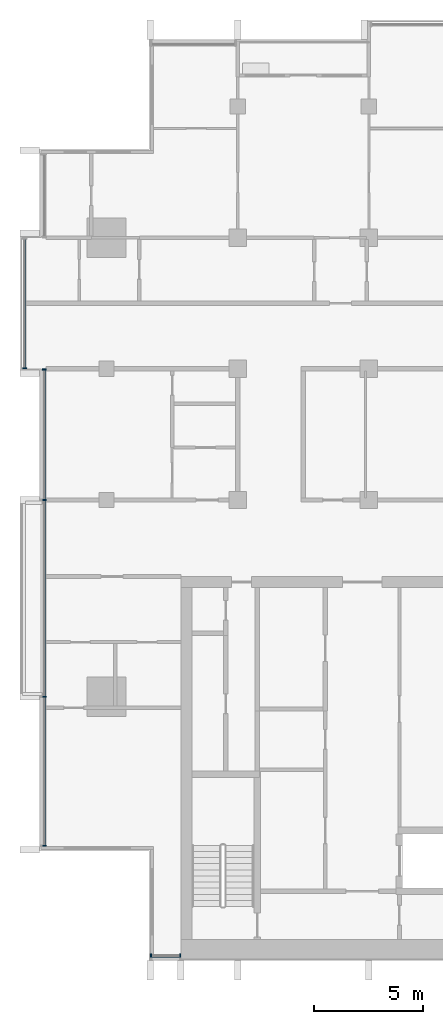
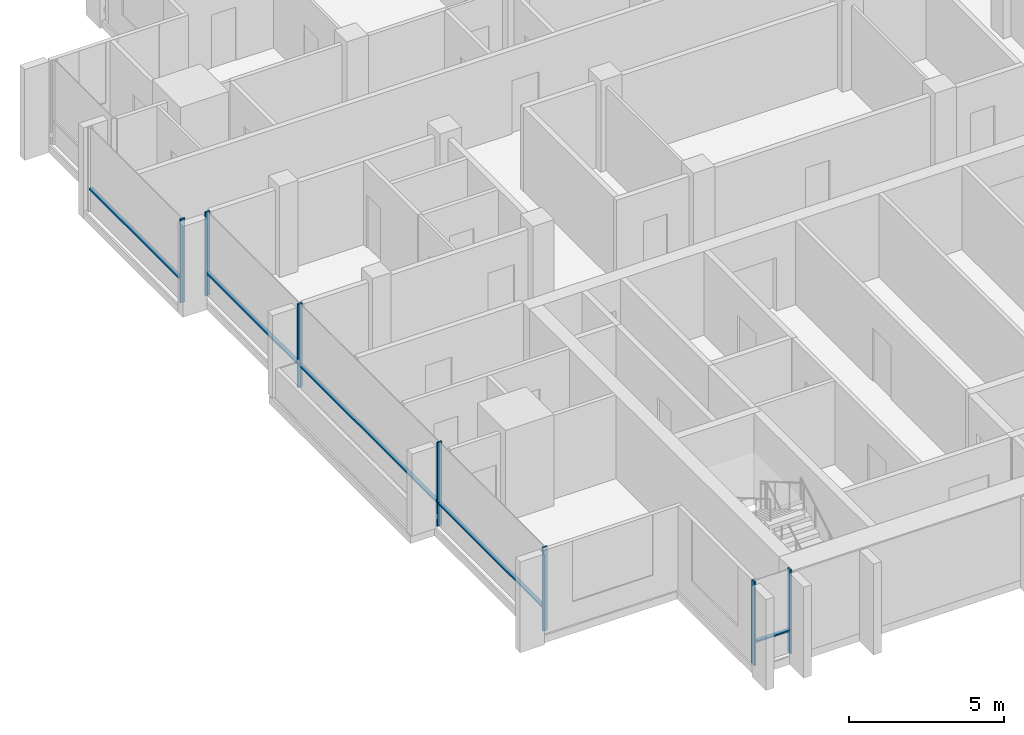
# One storey, part 2 of 16: 12 members, 3 elements without a shape of their own.
"""IFC4 building model written with IfcOpenShell, lengths in metres."""

from ifc_helpers import new_model, si_unit, direction, frame, origin, origin_2d, place, context, subcontext, project, spatial, rectangle, extrude, material, material_profile, profile_set, type_object, element, aggregate, save


model = new_model("IFC4")

# Units and contexts
model_context = context("Model", 3, precision=1e-05, world=origin(), true_north=direction((0.0, 1.0)))
body_context = subcontext(model_context, "Body", "Model", "MODEL_VIEW")
ifc_project = project(units=[si_unit("LENGTHUNIT", "METRE"), si_unit("AREAUNIT", "SQUARE_METRE"), si_unit("VOLUMEUNIT", "CUBIC_METRE"), si_unit("PLANEANGLEUNIT", "RADIAN"), si_unit("MASSUNIT", "GRAM", prefix="KILO")], contexts=[model_context])

# Site, building, storey
site_placement = place(None, origin())
site = spatial("IfcSite", under=ifc_project, at=site_placement, CompositionType="ELEMENT")
building_placement = place(site_placement, origin())
building = spatial("IfcBuilding", under=site, at=building_placement, Name="Finial Court Residences", CompositionType="ELEMENT")
storey_placement = place(building_placement, frame((0.0, 0.0, 280.699951171875)))
storey = spatial("IfcBuildingStorey", under=building, at=storey_placement, Name="L71", CompositionType="ELEMENT", Elevation=280.699951171875)

# Curtain wall, members
ifc_material = material(Name="Bronze anodised aluminium", Category="aluminium")
curtain_wall_type = type_object("IfcCurtainWallType", Name="Unitised curtain wall, upper zones", PredefinedType="NOTDEFINED", material=ifc_material)
curtain_wall_1_placement = place(storey_placement, origin())
curtain_wall_1 = element("IfcCurtainWall", 1, at=curtain_wall_1_placement, inside=storey, type_object=curtain_wall_type, Name="E-L71-CW-S7", PredefinedType="NOTDEFINED")
ifc_material_profile_1 = material_profile(ifc_material, rectangle(XDim=0.175048828125, YDim=0.06005859375, at=origin_2d()), Name="CW2 mullion 60 x 175")
ifc_profile_set_1 = profile_set([ifc_material_profile_1], Name="Bronze anodised aluminium")
member_type_1 = type_object("IfcMemberType", Name="CW2 mullion 60 x 175", PredefinedType="MULLION", material=ifc_profile_set_1)
member_1_placement = place(storey_placement, frame((-14.469970703125, -25.35009765625, 0.0), z_axis=(0.0, 0.0, 1.0), x_axis=(0.0, 1.0, 0.0)))
member_1 = element("IfcMember", 2, at=member_1_placement, type_object=member_type_1, Name="CW2 mullion 1", PredefinedType="MULLION", context=body_context, shape_type="SweptSolid", body=[
    extrude(rectangle(XDim=0.175048828125, YDim=0.06005859375, at=origin_2d()), origin(), (0.0, 0.0, 1.0), 3.300048828125),
])
member_2_placement = place(storey_placement, frame((-13.1298828125, -25.35009765625, 0.0), z_axis=(0.0, 0.0, 1.0), x_axis=(0.0, 1.0, 0.0)))
member_2 = element("IfcMember", 3, at=member_2_placement, type_object=member_type_1, Name="CW2 mullion 2", PredefinedType="MULLION", context=body_context, shape_type="SweptSolid", body=[
    extrude(rectangle(XDim=0.175048828125, YDim=0.06005859375, at=origin_2d()), origin(), (0.0, 0.0, 1.0), 3.300048828125),
])

curtain_wall_2_placement = place(storey_placement, origin())
curtain_wall_2 = element("IfcCurtainWall", 4, at=curtain_wall_2_placement, inside=storey, type_object=curtain_wall_type, Name="E-L71-CW-W9", PredefinedType="NOTDEFINED")
member_3_placement = place(storey_placement, frame((-19.35009765625, -20.320068359375, 0.0), z_axis=(0.0, 0.0, 1.0), x_axis=(-1.0, 0.0, 0.0)))
member_3 = element("IfcMember", 5, at=member_3_placement, type_object=member_type_1, Name="CW2 mullion 1", PredefinedType="MULLION", context=body_context, shape_type="SweptSolid", body=[
    extrude(rectangle(XDim=0.175048828125, YDim=0.06005859375, at=origin_2d()), origin(), (0.0, 0.0, 1.0), 3.300048828125),
])
member_4_placement = place(storey_placement, frame((-19.35009765625, -13.5, 0.0), z_axis=(0.0, 0.0, 1.0), x_axis=(-1.0, 0.0, 0.0)))
member_4 = element("IfcMember", 6, at=member_4_placement, type_object=member_type_1, Name="CW2 mullion 2", PredefinedType="MULLION", context=body_context, shape_type="SweptSolid", body=[
    extrude(rectangle(XDim=0.175048828125, YDim=0.06005859375, at=origin_2d()), origin(), (0.0, 0.0, 1.0), 3.300048828125),
])
member_5_placement = place(storey_placement, frame((-19.35009765625, -4.5, 0.0), z_axis=(0.0, 0.0, 1.0), x_axis=(-1.0, 0.0, 0.0)))
member_5 = element("IfcMember", 7, at=member_5_placement, type_object=member_type_1, Name="CW2 mullion 3", PredefinedType="MULLION", context=body_context, shape_type="SweptSolid", body=[
    extrude(rectangle(XDim=0.175048828125, YDim=0.06005859375, at=origin_2d()), origin(), (0.0, 0.0, 1.0), 3.300048828125),
])
member_6_placement = place(storey_placement, frame((-19.35009765625, 1.469970703125, 0.0), z_axis=(0.0, 0.0, 1.0), x_axis=(-1.0, 0.0, 0.0)))
member_6 = element("IfcMember", 8, at=member_6_placement, type_object=member_type_1, Name="CW2 mullion 4", PredefinedType="MULLION", context=body_context, shape_type="SweptSolid", body=[
    extrude(rectangle(XDim=0.175048828125, YDim=0.06005859375, at=origin_2d()), origin(), (0.0, 0.0, 1.0), 3.300048828125),
])

# Curtain wall, member
curtain_wall_3_placement = place(storey_placement, origin())
curtain_wall_3 = element("IfcCurtainWall", 9, at=curtain_wall_3_placement, inside=storey, type_object=curtain_wall_type, Name="E-L71-CW-W10", PredefinedType="NOTDEFINED")
member_7_placement = place(storey_placement, frame((-20.25, 1.530029296875, 0.0), z_axis=(0.0, 0.0, 1.0), x_axis=(-1.0, 0.0, 0.0)))
member_7 = element("IfcMember", 10, at=member_7_placement, type_object=member_type_1, Name="CW2 mullion 1", PredefinedType="MULLION", context=body_context, shape_type="SweptSolid", body=[
    extrude(rectangle(XDim=0.175048828125, YDim=0.06005859375, at=origin_2d()), origin(), (0.0, 0.0, 1.0), 3.300048828125),
])

# Member
ifc_material_profile_2 = material_profile(ifc_material, rectangle(XDim=0.139892578125, YDim=0.06005859375, at=origin_2d()), Name="CW2 transom 60 x 140")
ifc_profile_set_2 = profile_set([ifc_material_profile_2], Name="Bronze anodised aluminium")
member_type_2 = type_object("IfcMemberType", Name="CW2 transom 60 x 140", PredefinedType="USERDEFINED", material=ifc_profile_set_2)
member_8_placement = place(storey_placement, frame((-14.43994140625, -25.35009765625, 0.900146484375), z_axis=(1.0, 0.0, 0.0), x_axis=(0.0, 1.0, 0.0)))
member_8 = element("IfcMember", 11, at=member_8_placement, type_object=member_type_2, Name="CW2 transom 1.1", ObjectType="TRANSOM", PredefinedType="USERDEFINED", context=body_context, shape_type="SweptSolid", body=[
    extrude(rectangle(XDim=0.139892578125, YDim=0.06005859375, at=origin_2d()), origin(), (0.0, 0.0, 1.0), 1.280029296875),
])

aggregate(curtain_wall_1, [member_1, member_2, member_8])

member_9_placement = place(storey_placement, frame((-19.35009765625, -20.2900390625, 0.900146484375), z_axis=(0.0, 1.0, 0.0), x_axis=(-1.0, 0.0, 0.0)))
member_9 = element("IfcMember", 12, at=member_9_placement, type_object=member_type_2, Name="CW2 transom 1.1", ObjectType="TRANSOM", PredefinedType="USERDEFINED", context=body_context, shape_type="SweptSolid", body=[
    extrude(rectangle(XDim=0.139892578125, YDim=0.06005859375, at=origin_2d()), origin(), (0.0, 0.0, 1.0), 6.760009765625),
])

member_10_placement = place(storey_placement, frame((-19.35009765625, -13.469970703125, 0.900146484375), z_axis=(0.0, 1.0, 0.0), x_axis=(-1.0, 0.0, 0.0)))
member_10 = element("IfcMember", 13, at=member_10_placement, type_object=member_type_2, Name="CW2 transom 2.1", ObjectType="TRANSOM", PredefinedType="USERDEFINED", context=body_context, shape_type="SweptSolid", body=[
    extrude(rectangle(XDim=0.139892578125, YDim=0.06005859375, at=origin_2d()), origin(), (0.0, 0.0, 1.0), 8.93994140625),
])

member_11_placement = place(storey_placement, frame((-19.35009765625, -4.469970703125, 0.900146484375), z_axis=(0.0, 1.0, 0.0), x_axis=(-1.0, 0.0, 0.0)))
member_11 = element("IfcMember", 14, at=member_11_placement, type_object=member_type_2, Name="CW2 transom 3.1", ObjectType="TRANSOM", PredefinedType="USERDEFINED", context=body_context, shape_type="SweptSolid", body=[
    extrude(rectangle(XDim=0.139892578125, YDim=0.06005859375, at=origin_2d()), origin(), (0.0, 0.0, 1.0), 5.909912109375),
])

aggregate(curtain_wall_2, [member_3, member_4, member_5, member_6, member_9, member_10, member_11])

member_12_placement = place(storey_placement, frame((-20.25, 1.56005859375, 0.900146484375), z_axis=(0.0, 1.0, 0.0), x_axis=(-1.0, 0.0, 0.0)))
member_12 = element("IfcMember", 15, at=member_12_placement, type_object=member_type_2, Name="CW2 transom 1.1", ObjectType="TRANSOM", PredefinedType="USERDEFINED", context=body_context, shape_type="SweptSolid", body=[
    extrude(rectangle(XDim=0.139892578125, YDim=0.06005859375, at=origin_2d()), origin(), (0.0, 0.0, 1.0), 5.8798828125),
])

aggregate(curtain_wall_3, [member_7, member_12])

save(model, "model.ifc")
